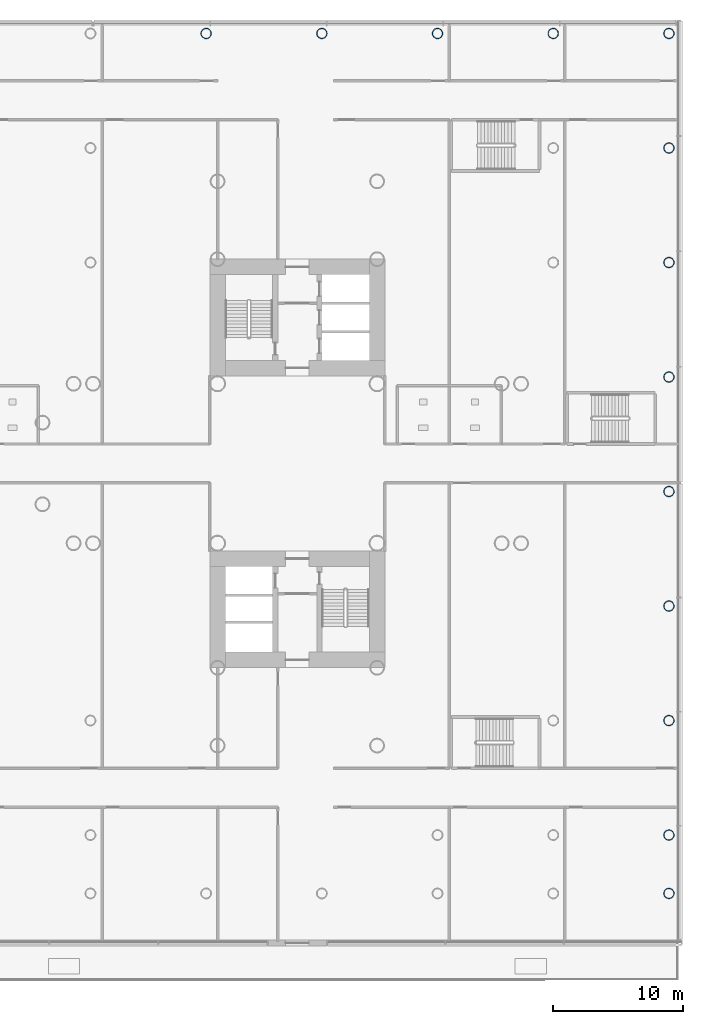
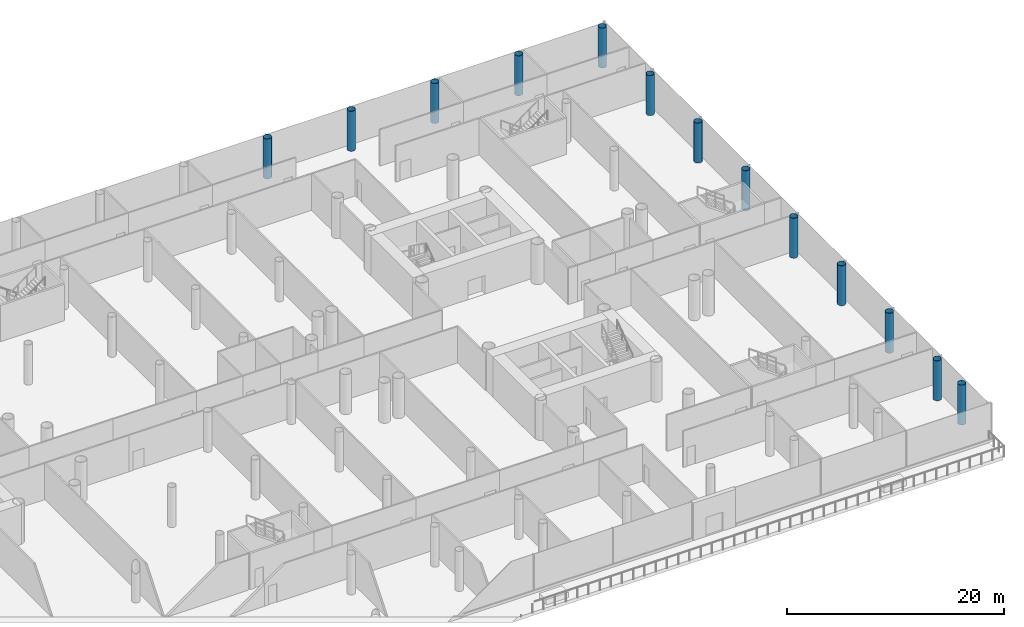
# One storey, part 4 of 49: 13 columns.
"""IFC4 building model written with IfcOpenShell, lengths in metres."""

from ifc_helpers import new_model, si_unit, direction, frame, origin, origin_2d, place, context, subcontext, project, spatial, hollow_circle, extrude, material, material_profile, profile_set, type_object, element, save


model = new_model("IFC4")

# Units and contexts
model_context = context("Model", 3, precision=1e-05, world=origin(), true_north=direction((0.0, 1.0)))
body_context = subcontext(model_context, "Body", "Model", "MODEL_VIEW")
ifc_project = project(units=[si_unit("LENGTHUNIT", "METRE"), si_unit("AREAUNIT", "SQUARE_METRE"), si_unit("VOLUMEUNIT", "CUBIC_METRE"), si_unit("PLANEANGLEUNIT", "RADIAN"), si_unit("MASSUNIT", "GRAM", prefix="KILO")], contexts=[model_context])

# Site, building, storey
site_placement = place(None, origin())
site = spatial("IfcSite", under=ifc_project, at=site_placement, CompositionType="ELEMENT")
building_placement = place(site_placement, origin())
building = spatial("IfcBuilding", under=site, at=building_placement, Name="Ipe Terrace Towers", CompositionType="ELEMENT")
storey_placement = place(building_placement, frame((0.0, 0.0, 11.0)))
storey = spatial("IfcBuildingStorey", under=building, at=storey_placement, Name="L02", CompositionType="ELEMENT", Elevation=11.0)

# Columns
ifc_material = material(Name="Steel S355 tube with Concrete C60/75 fill", Category="concrete")
ifc_material_profile = material_profile(ifc_material, hollow_circle(Radius=0.39990234375, WallThickness=0.028076171875, at=origin_2d()), Name="CHS-800x28")
ifc_profile_set = profile_set([ifc_material_profile], Name="Steel S355 tube with Concrete C60/75 fill")
column_type = type_object("IfcColumnType", Name="CH09 PODIUM COLUMN CHS-800x28", PredefinedType="COLUMN", material=ifc_profile_set)
for number, where, z_axis, x_axis, name in (
    (1, (64.64990234375, -33.14990234375, 0.0), (0.0, 0.0, 1.0), (1.0, 0.0, 0.0), "Column PD-C-C16"),
    (2, (64.64990234375, -28.64990234375, 0.0), (0.0, 0.0, 1.0), (1.0, 0.0, 0.0), "Column PD-C-D16"),
    (3, (64.64990234375, -19.821044921875, 0.0), (0.0, 0.0, 1.0), (1.0, 0.0, 0.0), "Column PD-C-E16"),
    (4, (64.64990234375, -10.992919921875, 0.0), (0.0, 0.0, 1.0), (1.0, 0.0, 0.0), "Column PD-C-F16"),
    (5, (64.64990234375, -2.1640625, 0.0), (0.0, 0.0, 1.0), (1.0, 0.0, 0.0), "Column PD-C-G16"),
    (6, (64.64990234375, 6.6640625, 0.0), (0.0, 0.0, 1.0), (1.0, 0.0, 0.0), "Column PD-C-H16"),
    (7, (64.64990234375, 15.492919921875, 0.0), (0.0, 0.0, 1.0), (1.0, 0.0, 0.0), "Column PD-C-I16"),
    (8, (64.64990234375, 24.321044921875, 0.0), (0.0, 0.0, 1.0), (1.0, 0.0, 0.0), "Column PD-C-J16"),
    (9, (28.969970703125, 33.14990234375, 0.0), (0.0, 0.0, 1.0), (1.0, 0.0, 0.0), "Column PD-C-K12"),
    (10, (37.889892578125, 33.14990234375, 0.0), (0.0, 0.0, 1.0), (1.0, 0.0, 0.0), "Column PD-C-K13"),
    (11, (46.81005859375, 33.14990234375, 0.0), (0.0, 0.0, 1.0), (1.0, 0.0, 0.0), "Column PD-C-K14"),
    (12, (55.72998046875, 33.14990234375, 0.0), (0.0, 0.0, 1.0), (1.0, 0.0, 0.0), "Column PD-C-K15"),
    (13, (64.64990234375, 33.14990234375, 0.0), (0.0, 0.0, 1.0), (1.0, 0.0, 0.0), "Column PD-C-K16"),
):
    element("IfcColumn", number, at=place(storey_placement, frame(where, z_axis=z_axis, x_axis=x_axis)), inside=storey, type_object=column_type, Name=name, PredefinedType="COLUMN", context=body_context, shape_type="SweptSolid", body=[
        extrude(hollow_circle(Radius=0.39990234375, WallThickness=0.028076171875, at=origin_2d()), origin(), (0.0, 0.0, 1.0), 4.5),
    ])

save(model, "model.ifc")
